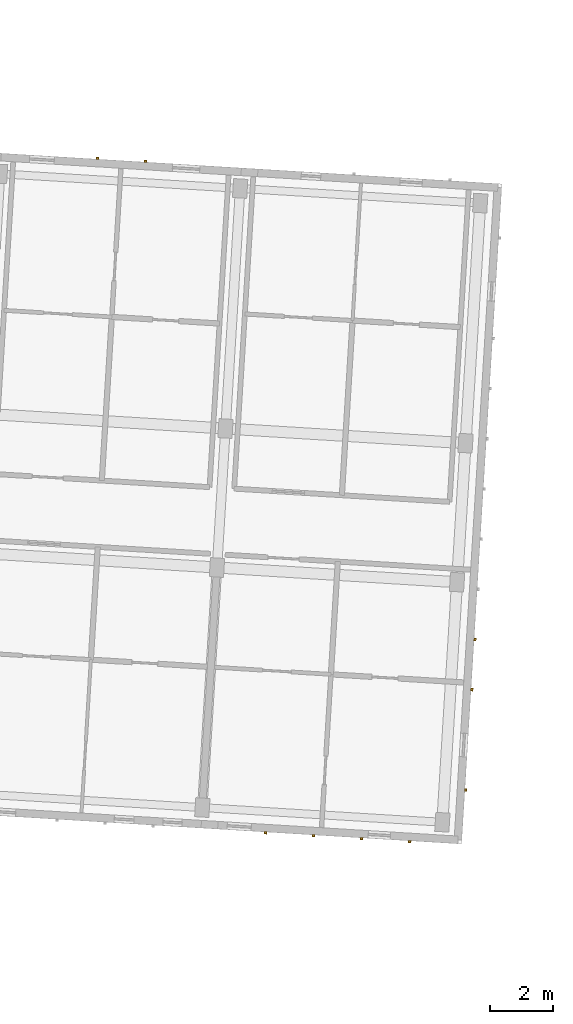
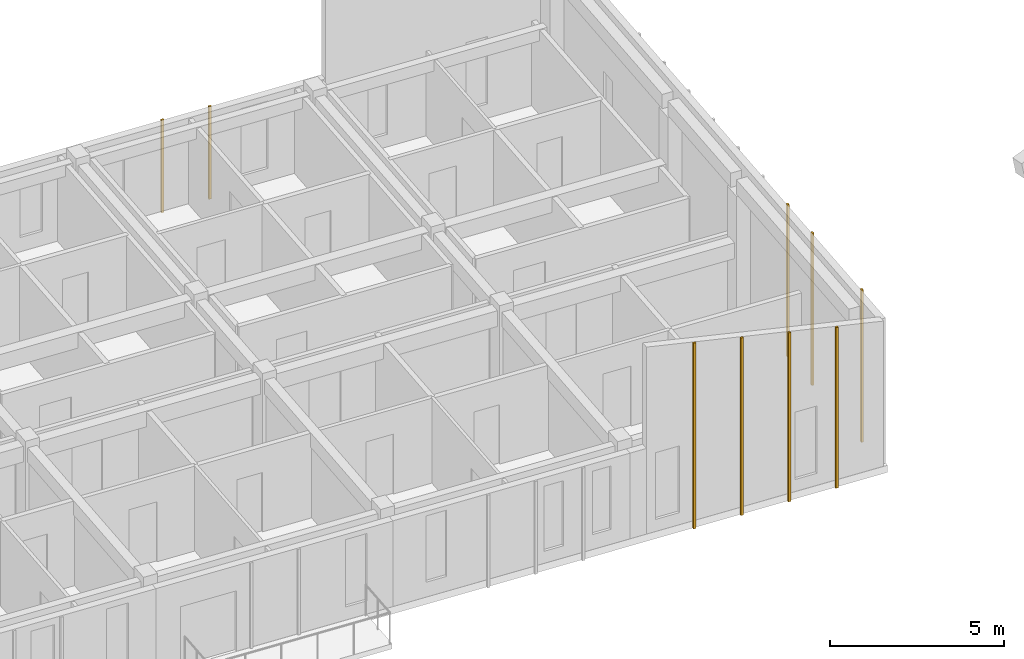
# One storey, part 50 of 64: 9 coverings.
"""IFC4 building model written with IfcOpenShell, lengths in metres."""

from ifc_helpers import new_model, si_unit, direction, frame, origin, origin_2d, place, context, subcontext, project, spatial, rectangle, extrude, material, layer, layer_set, type_object, element, save


model = new_model("IFC4")

# Units and contexts
model_context = context("Model", 3, precision=1e-05, world=origin(), true_north=direction((0.0, 1.0)))
body_context = subcontext(model_context, "Body", "Model", "MODEL_VIEW")
ifc_project = project(units=[si_unit("LENGTHUNIT", "METRE"), si_unit("AREAUNIT", "SQUARE_METRE"), si_unit("VOLUMEUNIT", "CUBIC_METRE"), si_unit("PLANEANGLEUNIT", "RADIAN"), si_unit("MASSUNIT", "GRAM", prefix="KILO")], contexts=[model_context])

# Site, building, storey
site_placement = place(None, origin())
site = spatial("IfcSite", under=ifc_project, at=site_placement, CompositionType="ELEMENT")
building_placement = place(site_placement, origin())
building = spatial("IfcBuilding", under=site, at=building_placement, Name="Kestramere Prow Commons", CompositionType="ELEMENT")
storey_placement = place(building_placement, frame((0.0, 0.0, 24.64990234375)))
storey = spatial("IfcBuildingStorey", under=building, at=storey_placement, Name="L07", CompositionType="ELEMENT", Elevation=24.64990234375)

# Coverings
ifc_material = material(Name="Weathered Zinc-Titanium Standing-Seam Cladding")
ifc_layer = layer(ifc_material, 0.074951171875)
ifc_layer_set = layer_set([ifc_layer], Name="Weathered Zinc-Titanium Standing-Seam Cladding")
covering_type = type_object("IfcCoveringType", Name="COV-CLAD-SEAM", PredefinedType="CLADDING", material=ifc_layer_set)
covering_1_placement = place(storey_placement, frame((103.98046875, 43.1005859375, -0.249755859375), z_axis=(0.0, 0.0, 1.0), x_axis=(-0.998134798422, 0.061048539535, 0.0)))
element("IfcCovering", 1, at=covering_1_placement, inside=storey, type_object=covering_type, Name="EW-C-L07-S-5 Standing-Seam Rib 1", PredefinedType="CLADDING", context=body_context, shape_type="SweptSolid", body=[
    extrude(rectangle(XDim=0.0849609375, YDim=0.06494140625, at=origin_2d()), origin(), (0.0, 0.0, 1.0), 5.62744140625),
])
covering_2_placement = place(storey_placement, frame((102.46337890625, 43.193603515625, -0.249755859375), z_axis=(0.0, 0.0, 1.0), x_axis=(-0.998134798422, 0.061048539535, 0.0)))
element("IfcCovering", 2, at=covering_2_placement, inside=storey, type_object=covering_type, Name="EW-C-L07-S-5 Standing-Seam Rib 2", PredefinedType="CLADDING", context=body_context, shape_type="SweptSolid", body=[
    extrude(rectangle(XDim=0.0849609375, YDim=0.06494140625, at=origin_2d()), origin(), (0.0, 0.0, 1.0), 5.919921875),
])
covering_3_placement = place(storey_placement, frame((100.946044921875, 43.286376953125, -0.25), z_axis=(0.0, 0.0, 1.0), x_axis=(-0.998134798422, 0.061048539535, 0.0)))
element("IfcCovering", 3, at=covering_3_placement, inside=storey, type_object=covering_type, Name="EW-C-L07-S-5 Standing-Seam Rib 3", PredefinedType="CLADDING", context=body_context, shape_type="SweptSolid", body=[
    extrude(rectangle(XDim=0.0849609375, YDim=0.06494140625, at=origin_2d()), origin(), (0.0, 0.0, 1.0), 6.21240234375),
])
covering_4_placement = place(storey_placement, frame((99.428955078125, 43.379150390625, -0.25), z_axis=(0.0, 0.0, 1.0), x_axis=(-0.998134798422, 0.061048539535, 0.0)))
element("IfcCovering", 4, at=covering_4_placement, inside=storey, type_object=covering_type, Name="EW-C-L07-S-5 Standing-Seam Rib 4", PredefinedType="CLADDING", context=body_context, shape_type="SweptSolid", body=[
    extrude(rectangle(XDim=0.0849609375, YDim=0.06494140625, at=origin_2d()), origin(), (0.0, 0.0, 1.0), 6.5048828125),
])
for number, where, z_axis, x_axis, name in (
    (5, (94.115478515625, 64.6982421875, -0.25), (0.0, 0.0, 1.0), (0.998134798422, -0.061048539535, 0.0), "EW-C-L07-N-4 Standing-Seam Rib 2"),
    (6, (95.6328125, 64.60546875, -0.25), (0.0, 0.0, 1.0), (0.998134798422, -0.061048539535, 0.0), "EW-C-L07-N-4 Standing-Seam Rib 3"),
):
    element("IfcCovering", number, at=place(storey_placement, frame(where, z_axis=z_axis, x_axis=x_axis)), inside=storey, type_object=covering_type, Name=name, PredefinedType="CLADDING", context=body_context, shape_type="SweptSolid", body=[
        extrude(rectangle(XDim=0.0849609375, YDim=0.06494140625, at=origin_2d()), origin(), (0.0, 0.0, 1.0), 3.25),
    ])
for number, where, z_axis, x_axis, name in (
    (7, (106.047119140625, 49.492919921875, -0.25), (0.0, 0.0, 1.0), (-0.061048539535, -0.998134798422, 0.0), "EW-C-L07-EAV Standing-Seam Rib 9"),
    (8, (105.949951171875, 47.9072265625, -0.25), (0.0, 0.0, 1.0), (-0.061048539535, -0.998134798422, 0.0), "EW-C-L07-EAV Standing-Seam Rib 10"),
    (9, (105.756103515625, 44.736328125, -0.25), (0.0, 0.0, 1.0), (-0.061048539535, -0.998134798422, 0.0), "EW-C-L07-EAV Standing-Seam Rib 12"),
):
    element("IfcCovering", number, at=place(storey_placement, frame(where, z_axis=z_axis, x_axis=x_axis)), inside=storey, type_object=covering_type, Name=name, PredefinedType="CLADDING", context=body_context, shape_type="SweptSolid", body=[
        extrude(rectangle(XDim=0.0849609375, YDim=0.06494140625, at=origin_2d()), origin(), (0.0, 0.0, 1.0), 5.3349609375),
    ])

save(model, "model.ifc")
